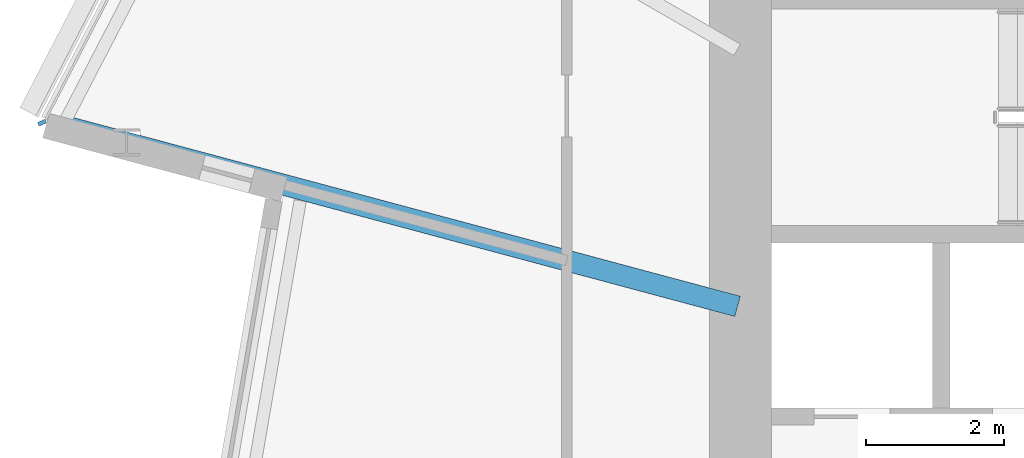
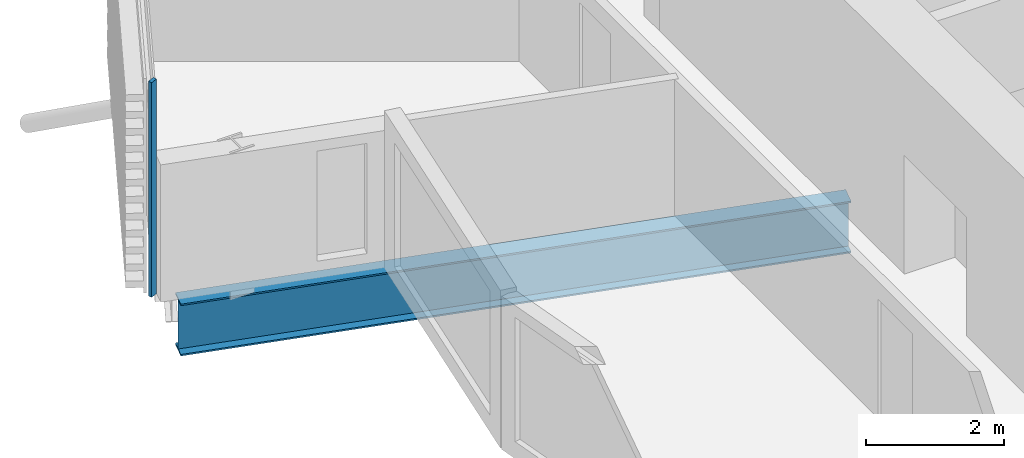
# One storey, part 5 of 37: 1 beam, 1 member, 1 element without a shape of its own.
"""IFC4 building model written with IfcOpenShell, lengths in metres."""

from ifc_helpers import new_model, si_unit, direction, frame, origin, origin_2d, place, context, subcontext, project, spatial, rectangle, i_section, extrude, material, material_profile, profile_set, type_object, element, aggregate, save


model = new_model("IFC4")

# Units and contexts
model_context = context("Model", 3, precision=1e-05, world=origin(), true_north=direction((0.0, 1.0)))
body_context = subcontext(model_context, "Body", "Model", "MODEL_VIEW")
ifc_project = project(units=[si_unit("LENGTHUNIT", "METRE"), si_unit("AREAUNIT", "SQUARE_METRE"), si_unit("VOLUMEUNIT", "CUBIC_METRE"), si_unit("PLANEANGLEUNIT", "RADIAN"), si_unit("MASSUNIT", "GRAM", prefix="KILO")], contexts=[model_context])

# Site, building, storey
site_placement = place(None, origin())
site = spatial("IfcSite", under=ifc_project, at=site_placement, CompositionType="ELEMENT")
building_placement = place(site_placement, origin())
building = spatial("IfcBuilding", under=site, at=building_placement, Name="Rimbun Link Towers", CompositionType="ELEMENT")
storey_placement = place(building_placement, frame((0.0, 0.0, 60.39990234375)))
storey = spatial("IfcBuildingStorey", under=building, at=storey_placement, Name="L14", CompositionType="ELEMENT", Elevation=60.39990234375)

# Curtain wall, member
ifc_material_1 = material(Name="Aluminium 6063-T6 and low-iron glass", Category="aluminium")
curtain_wall_type = type_object("IfcCurtainWallType", Name="CW1 unitised vision wall", PredefinedType="NOTDEFINED", material=ifc_material_1)
curtain_wall_placement = place(storey_placement, origin())
curtain_wall = element("IfcCurtainWall", 1, at=curtain_wall_placement, inside=storey, type_object=curtain_wall_type, Name="CW1 L14 T1", PredefinedType="NOTDEFINED")
ifc_material_2 = material(Name="Aluminium 6063-T6", Category="aluminium")
ifc_material_profile_1 = material_profile(ifc_material_2, rectangle(XDim=0.1201171875, YDim=0.06005859375, at=origin_2d()), Name="MULLION 60X120")
ifc_profile_set_1 = profile_set([ifc_material_profile_1], Name="Aluminium 6063-T6")
member_type = type_object("IfcMemberType", Name="CW1 mullion 60X120", PredefinedType="MULLION", material=ifc_profile_set_1)
member_placement = place(storey_placement, frame((-53.902099609375, 5.896728515625, 0.0), z_axis=(0.0, 0.0, 1.0), x_axis=(-0.914813149128, -0.403877335565, 0.0)))
member = element("IfcMember", 2, at=member_placement, type_object=member_type, Name="CW1 mullion", PredefinedType="MULLION", context=body_context, shape_type="SweptSolid", body=[
    extrude(rectangle(XDim=0.1201171875, YDim=0.06005859375, at=origin_2d()), origin(), (0.0, 0.0, 1.0), 3.800048828125),
])
aggregate(curtain_wall, [member])

# Beam
ifc_material_3 = material(Name="Steel S355J2", Category="steel")
ifc_material_profile_2 = material_profile(ifc_material_3, i_section(OverallWidth=0.305419921875, OverallDepth=0.91845703125, WebThickness=0.017333984375, FlangeThickness=0.02783203125, at=origin_2d()), Name="UB 914x305x253")
ifc_profile_set_2 = profile_set([ifc_material_profile_2], Name="Steel S355J2")
beam_type = type_object("IfcBeamType", Name="UB 914x305x253", PredefinedType="BEAM", material=ifc_profile_set_2)
beam_placement = place(storey_placement, frame((-43.79052734375, 3.226318359375, -0.619140625), z_axis=(-0.965929859648, 0.258803991931, 0.0), x_axis=(-0.258803991931, -0.965929859648, 0.0)))
element("IfcBeam", 3, at=beam_placement, inside=storey, type_object=beam_type, Name="Radial beam T1 L14 11", PredefinedType="BEAM", context=body_context, shape_type="SweptSolid", body=[
    extrude(i_section(OverallWidth=0.305419921875, OverallDepth=0.91845703125, WebThickness=0.017333984375, FlangeThickness=0.02783203125, at=origin_2d()), origin(), (0.0, 0.0, 1.0), 10.0634765625),
])

save(model, "model.ifc")
